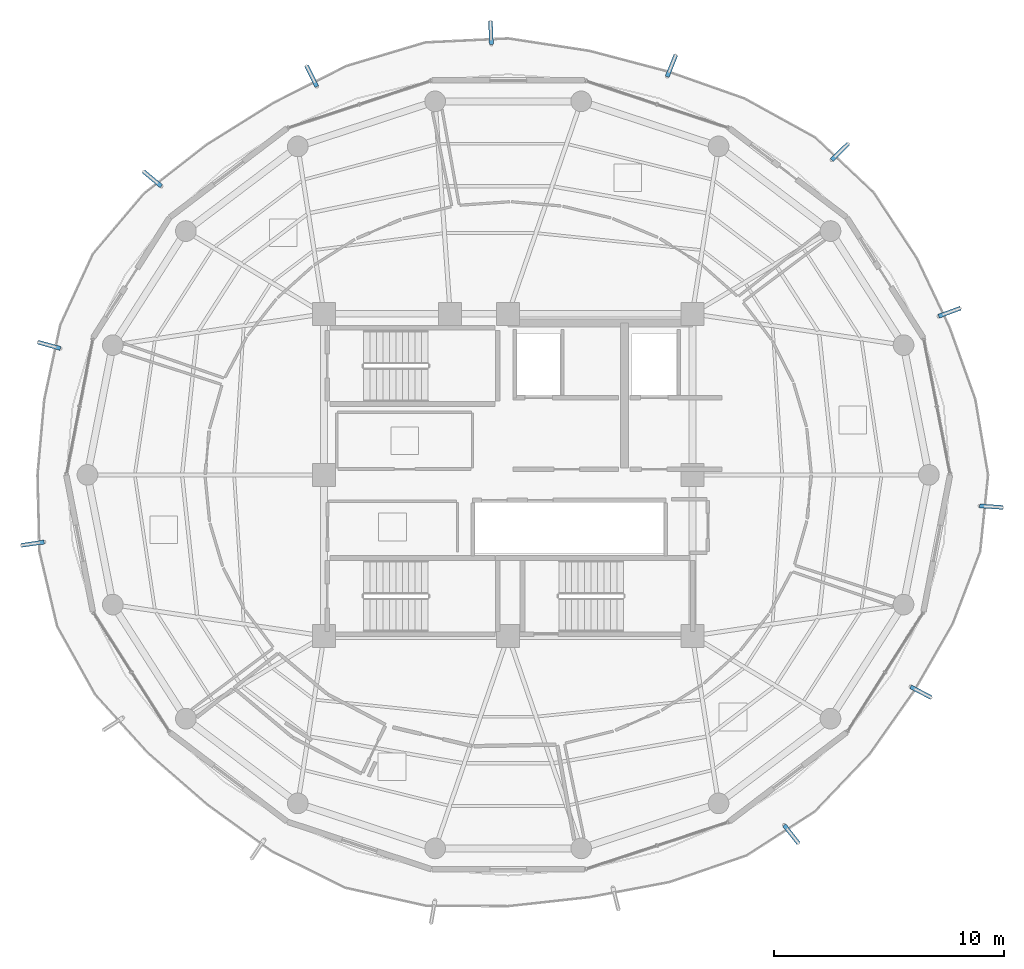
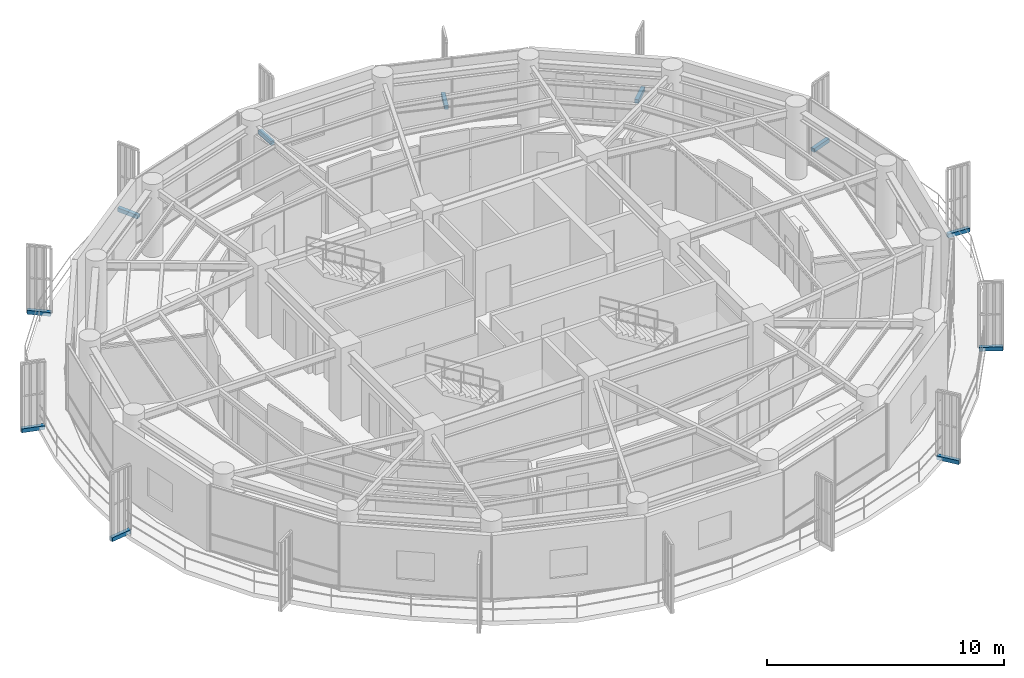
# One storey, part 19 of 23: 11 discrete accessories.
"""IFC4 building model written with IfcOpenShell, lengths in metres."""

from ifc_helpers import new_model, si_unit, direction, frame, origin, origin_2d, place, context, subcontext, project, spatial, rectangle, extrude, source, transform, mapped, material, type_object, element, save


model = new_model("IFC4")

# Units and contexts
model_context = context("Model", 3, precision=1e-05, world=origin(), true_north=direction((0.0, 1.0)))
body_context = subcontext(model_context, "Body", "Model", "MODEL_VIEW")
ifc_project = project(units=[si_unit("LENGTHUNIT", "METRE"), si_unit("AREAUNIT", "SQUARE_METRE"), si_unit("VOLUMEUNIT", "CUBIC_METRE"), si_unit("PLANEANGLEUNIT", "RADIAN"), si_unit("MASSUNIT", "GRAM", prefix="KILO")], contexts=[model_context])

# Site, building, storey
site_placement = place(None, origin())
site = spatial("IfcSite", under=ifc_project, at=site_placement, CompositionType="ELEMENT")
building_placement = place(site_placement, origin())
building = spatial("IfcBuilding", under=site, at=building_placement, Name="Kelanora Arch Commons", CompositionType="ELEMENT")
storey_placement = place(building_placement, frame((0.0, 0.0, 289.949951171875)))
storey = spatial("IfcBuildingStorey", under=building, at=storey_placement, Name="L74", CompositionType="ELEMENT", Elevation=289.949951171875)

# Discrete accessories
ifc_material = material(Name="Stainless steel 316 marine fin bracket", Category="steel")
discrete_accessory_type = type_object("IfcDiscreteAccessoryType", Name="ACC-FIN-BRK", PredefinedType="BRACKET", material=ifc_material)
shared_shape = source(origin(), body_context, "Body", "SweptSolid", [
    extrude(rectangle(XDim=1.0107421875, YDim=0.179931640625, at=origin_2d()), origin(), (0.0, 0.0, 1.0), 0.199951171875),
])
for number, where, z_axis, x_axis, name in (
    (1, (94.9912109375, 56.61865234375, -0.16015625), (0.0, 0.0, 1.0), (0.997836032447, -0.065751443712, 0.0), "Sweeping Fin Cantilever Spine Bracket L74-00"),
    (2, (93.177001953125, 65.069091796875, -0.16015625), (0.0, 0.0, 1.0), (0.938312096407, 0.345789545441, 0.0), "Sweeping Fin Cantilever Spine Bracket L74-01"),
    (3, (88.41796875, 72.0380859375, -0.16015625), (0.0, 0.0, 1.0), (0.7165454746, 0.697540380788, 0.0), "Sweeping Fin Cantilever Spine Bracket L74-02"),
    (4, (81.095947265625, 75.772705078125, -0.16015625), (0.0, 0.0, 1.0), (0.370881630624, 0.928680147341, 0.0), "Sweeping Fin Cantilever Spine Bracket L74-03"),
    (5, (73.250244140625, 77.212646484375, -0.16015625), (0.0, 0.0, 1.0), (-0.038911016641, 0.999242679625, 0.0), "Sweeping Fin Cantilever Spine Bracket L74-04"),
    (6, (65.46240234375, 75.32373046875, -0.16015625), (0.0, 0.0, 1.0), (-0.441975595633, 0.897027074767, 0.0), "Sweeping Fin Cantilever Spine Bracket L74-05"),
    (7, (58.540283203125, 70.864501953125, -0.16015625), (0.0, 0.0, 1.0), (-0.768730217204, 0.639573180455, 0.0), "Sweeping Fin Cantilever Spine Bracket L74-06"),
    (8, (54.05908203125, 63.62939453125, -0.16015625), (0.0, 0.0, 1.0), (-0.962407846499, 0.271608425858, 0.0), "Sweeping Fin Cantilever Spine Bracket L74-07"),
    (9, (53.340087890625, 55.010009765625, -0.16015625), (0.0, 0.0, 1.0), (-0.989676415933, -0.143319893055, 0.0), "Sweeping Fin Cantilever Spine Bracket L74-08"),
    (10, (86.3046875, 42.383056640625, -0.16015625), (0.0, 0.0, 1.0), (0.61895687622, -0.785424971197, 0.0), "Sweeping Fin Cantilever Spine Bracket L74-13"),
    (11, (91.93408203125, 48.55859375, -0.16015625), (0.0, 0.0, 1.0), (0.88490635892, -0.465768972714, 0.0), "Sweeping Fin Cantilever Spine Bracket L74-14"),
):
    element("IfcDiscreteAccessory", number, at=place(storey_placement, frame(where, z_axis=z_axis, x_axis=x_axis)), inside=storey, type_object=discrete_accessory_type, Name=name, PredefinedType="BRACKET", context=body_context, shape_type="MappedRepresentation", body=[
        mapped(shared_shape, transform((0.0, 0.0, 0.0), scale=1.0)),
    ])

save(model, "model.ifc")
